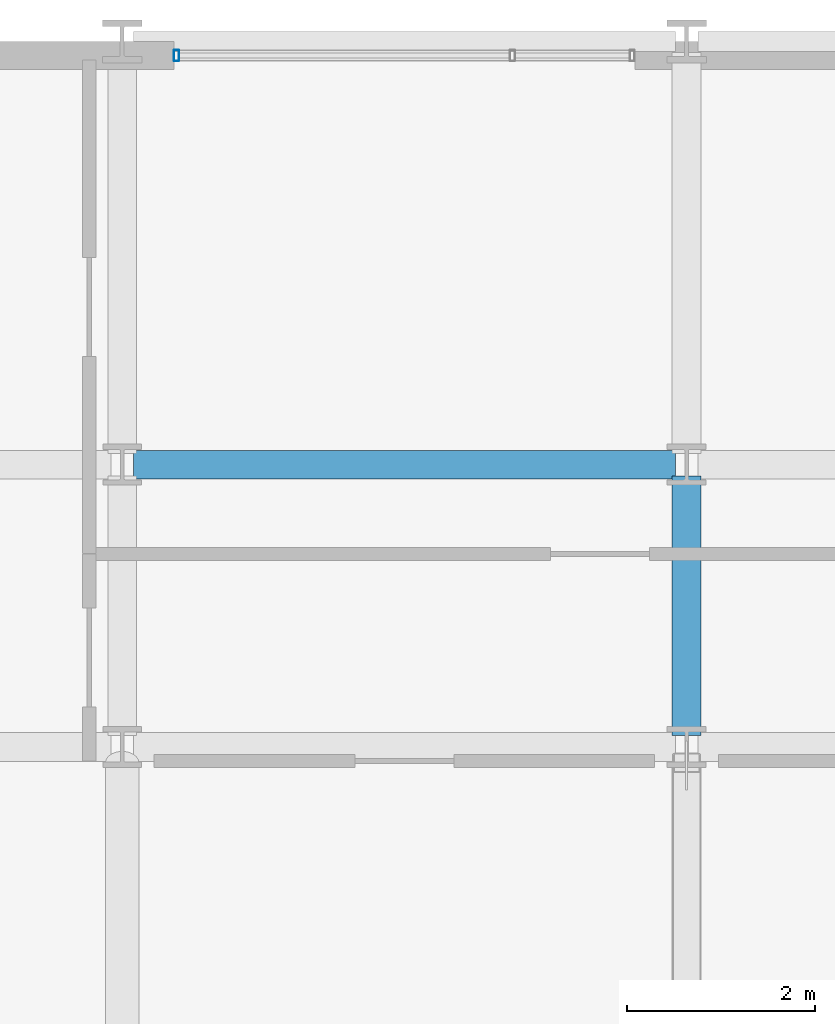
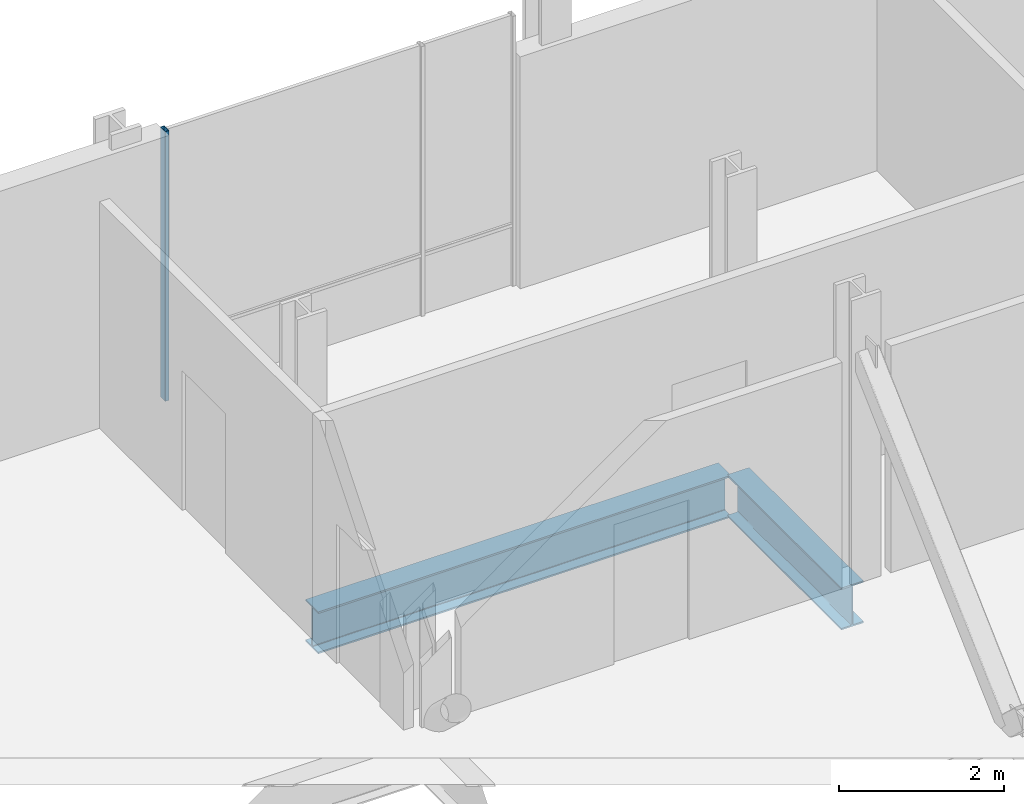
# One storey, part 7 of 32: 2 beams, 1 member, 1 element without a shape of its own.
"""IFC4 building model written with IfcOpenShell, lengths in metres."""

from ifc_helpers import new_model, si_unit, direction, frame, origin, origin_2d, place, context, subcontext, project, spatial, hollow_rectangle, i_section, extrude, material, layer, layer_set, material_profile, profile_set, type_object, element, aggregate, save


model = new_model("IFC4")

# Units and contexts
model_context = context("Model", 3, precision=1e-05, world=origin(), true_north=direction((0.0, 1.0)))
body_context = subcontext(model_context, "Body", "Model", "MODEL_VIEW")
ifc_project = project(units=[si_unit("LENGTHUNIT", "METRE"), si_unit("AREAUNIT", "SQUARE_METRE"), si_unit("VOLUMEUNIT", "CUBIC_METRE"), si_unit("PLANEANGLEUNIT", "RADIAN"), si_unit("MASSUNIT", "GRAM", prefix="KILO")], contexts=[model_context])

# Site, building, storey
site_placement = place(None, origin())
site = spatial("IfcSite", under=ifc_project, at=site_placement, CompositionType="ELEMENT")
building_placement = place(site_placement, origin())
building = spatial("IfcBuilding", under=site, at=building_placement, Name="Brevholm Reach", CompositionType="ELEMENT")
storey_placement = place(building_placement, frame((0.0, 0.0, 96.199951171875)))
storey = spatial("IfcBuildingStorey", under=building, at=storey_placement, Name="L28", CompositionType="ELEMENT", Elevation=96.199951171875)

# Beams
ifc_material_1 = material(Name="Structural Steel S355J2", Category="steel")
ifc_material_profile_1 = material_profile(ifc_material_1, i_section(OverallWidth=0.30712890625, OverallDepth=0.6201171875, WebThickness=0.01416015625, FlangeThickness=0.023681640625, FilletRadius=0.0166015625, at=origin_2d()), Name="UKB 610x305x179")
ifc_profile_set_1 = profile_set([ifc_material_profile_1], Name="Structural Steel S355J2")
beam_type = type_object("IfcBeamType", Name="BM-UKB610H", PredefinedType="USERDEFINED", material=ifc_profile_set_1)
beam_1_placement = place(storey_placement, frame((6.1201171875, 26.5, -0.570068359375), z_axis=(1.0, 0.0, 0.0), x_axis=(0.0, 1.0, 0.0)))
element("IfcBeam", 1, at=beam_1_placement, inside=storey, type_object=beam_type, Name="L28 G-06 Framing Beam", ObjectType="GIRDER", PredefinedType="USERDEFINED", context=body_context, shape_type="SweptSolid", body=[
    extrude(i_section(OverallWidth=0.30712890625, OverallDepth=0.6201171875, WebThickness=0.01416015625, FlangeThickness=0.023681640625, FilletRadius=0.0166015625, at=origin_2d()), origin(), (0.0, 0.0, 1.0), 5.759765625),
])
beam_2_placement = place(storey_placement, frame((12.0, 23.6201171875, -0.570068359375), z_axis=(0.0, 1.0, 0.0), x_axis=(-1.0, 0.0, 0.0)))
element("IfcBeam", 2, at=beam_2_placement, inside=storey, type_object=beam_type, Name="L28 G-06 Framing Beam", ObjectType="GIRDER", PredefinedType="USERDEFINED", context=body_context, shape_type="SweptSolid", body=[
    extrude(i_section(OverallWidth=0.30712890625, OverallDepth=0.6201171875, WebThickness=0.01416015625, FlangeThickness=0.023681640625, FilletRadius=0.0166015625, at=origin_2d()), origin(), (0.0, 0.0, 1.0), 2.759765625),
])

# Curtain wall, member
ifc_material_2 = material(Name="Dark Anodised Aluminium 6063-T6 and Solar-Control Glass", Category="aluminium")
ifc_layer = layer(ifc_material_2, 0.1201171875)
ifc_layer_set = layer_set([ifc_layer], Name="Dark Anodised Aluminium 6063-T6 and Solar-Control Glass")
curtain_wall_type = type_object("IfcCurtainWallType", Name="CW-06", PredefinedType="NOTDEFINED", material=ifc_layer_set)
curtain_wall_placement = place(storey_placement, origin())
curtain_wall = element("IfcCurtainWall", 3, at=curtain_wall_placement, inside=storey, type_object=curtain_wall_type, Name="L28 Curtain Wall CW-06", PredefinedType="NOTDEFINED")
ifc_material_3 = material(Name="Dark Anodised Aluminium 6063-T6", Category="aluminium")
ifc_material_profile_2 = material_profile(ifc_material_3, hollow_rectangle(XDim=0.054931640625, YDim=0.1201171875, WallThickness=0.00390625, InnerFilletRadius=0.00390625, OuterFilletRadius=0.008056640625, at=origin_2d()), Name="RHS 120x55x4")
ifc_profile_set_2 = profile_set([ifc_material_profile_2], Name="Dark Anodised Aluminium 6063-T6")
member_type = type_object("IfcMemberType", Name="CWM-120", PredefinedType="MULLION", material=ifc_profile_set_2)
member_placement = place(storey_placement, frame((6.577392578125, 30.85009765625, 0.0), z_axis=(0.0, 0.0, 1.0), x_axis=(1.0, 0.0, 0.0)))
member = element("IfcMember", 4, at=member_placement, type_object=member_type, Name="CM-120 Mullion 1", PredefinedType="MULLION", context=body_context, shape_type="SweptSolid", body=[
    extrude(hollow_rectangle(XDim=0.054931640625, YDim=0.1201171875, WallThickness=0.00390625, InnerFilletRadius=0.00390625, OuterFilletRadius=0.008056640625, at=origin_2d()), origin(), (0.0, 0.0, 1.0), 3.97998046875),
])
aggregate(curtain_wall, [member])

save(model, "model.ifc")
